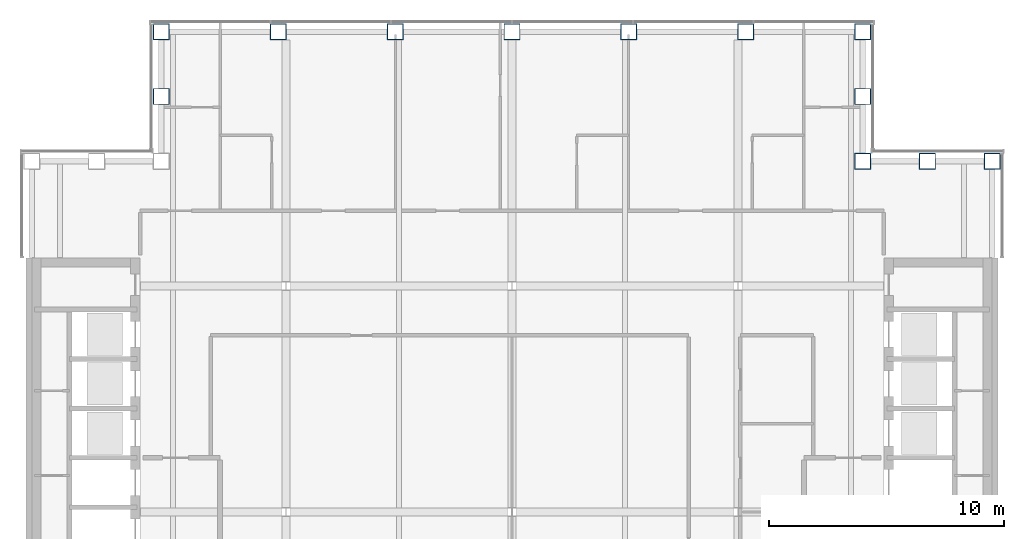
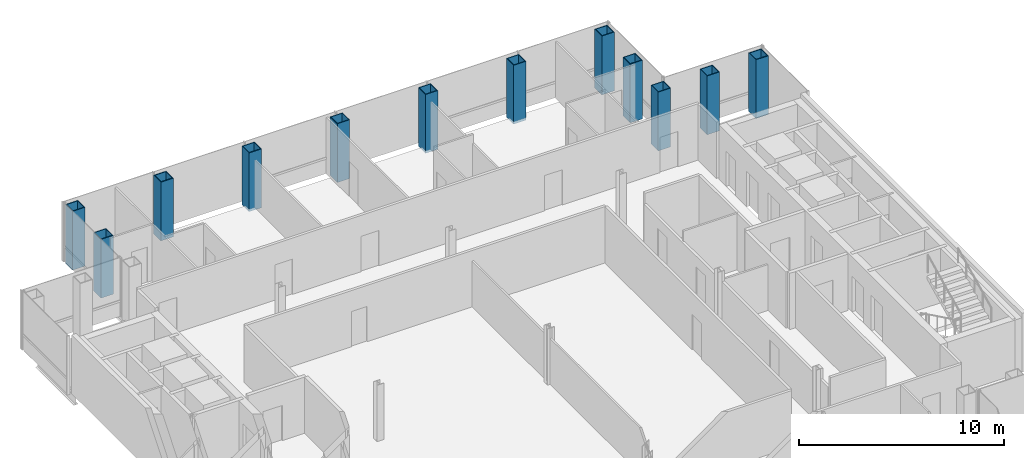
# One storey, part 2 of 15: 12 columns.
"""IFC4 building model written with IfcOpenShell, lengths in metres."""

from ifc_helpers import new_model, si_unit, direction, frame, origin, origin_2d, place, context, subcontext, project, spatial, hollow_rectangle, extrude, material, material_profile, profile_set, type_object, element, save


model = new_model("IFC4")

# Units and contexts
model_context = context("Model", 3, precision=1e-05, world=origin(), true_north=direction((0.0, 1.0)))
body_context = subcontext(model_context, "Body", "Model", "MODEL_VIEW")
ifc_project = project(units=[si_unit("LENGTHUNIT", "METRE"), si_unit("AREAUNIT", "SQUARE_METRE"), si_unit("VOLUMEUNIT", "CUBIC_METRE"), si_unit("PLANEANGLEUNIT", "RADIAN"), si_unit("MASSUNIT", "GRAM", prefix="KILO")], contexts=[model_context])

# Site, building, storey
site_placement = place(None, origin())
site = spatial("IfcSite", under=ifc_project, at=site_placement, CompositionType="ELEMENT")
building_placement = place(site_placement, origin())
building = spatial("IfcBuilding", under=site, at=building_placement, Name="Cobrizo Arcos Hotel Tower", CompositionType="ELEMENT")
storey_placement = place(building_placement, frame((0.0, 0.0, 194.5)))
storey = spatial("IfcBuildingStorey", under=building, at=storey_placement, Name="L50", CompositionType="ELEMENT", Elevation=194.5)

# Columns
ifc_material = material(Name="Steel ASTM A572 Grade 50", Category="steel")
ifc_material_profile = material_profile(ifc_material, hollow_rectangle(XDim=0.699951171875, YDim=0.699951171875, WallThickness=0.0400390625, at=origin_2d()), Name="BOX 700X700X40")
ifc_profile_set = profile_set([ifc_material_profile], Name="Steel ASTM A572 Grade 50")
column_type = type_object("IfcColumnType", Name="BOX 700X700X40 column", PredefinedType="COLUMN", material=ifc_profile_set)
for number, where, z_axis, x_axis, name in (
    (1, (-14.89990234375, 20.39990234375, -0.14990234375), (0.0, 0.0, 1.0), (1.0, 0.0, 0.0), "Perimeter column C10, L50, no. 00"),
    (2, (-9.93310546875, 20.39990234375, -0.14990234375), (0.0, 0.0, 1.0), (1.0, 0.0, 0.0), "Perimeter column C10, L50, no. 02"),
    (3, (-4.967041015625, 20.39990234375, -0.14990234375), (0.0, 0.0, 1.0), (1.0, 0.0, 0.0), "Perimeter column C10, L50, no. 04"),
    (4, (0.0, 20.39990234375, -0.14990234375), (0.0, 0.0, 1.0), (1.0, 0.0, 0.0), "Perimeter column C10, L50, no. 06"),
    (5, (4.967041015625, 20.39990234375, -0.14990234375), (0.0, 0.0, 1.0), (1.0, 0.0, 0.0), "Perimeter column C10, L50, no. 08"),
    (6, (9.93310546875, 20.39990234375, -0.14990234375), (0.0, 0.0, 1.0), (1.0, 0.0, 0.0), "Perimeter column C10, L50, no. 10"),
    (7, (14.89990234375, 20.39990234375, -0.14990234375), (0.0, 0.0, 1.0), (1.0, 0.0, 0.0), "Perimeter column C10, L50, no. 12"),
    (8, (20.39990234375, 14.89990234375, -0.14990234375), (0.0, 0.0, 1.0), (1.0, 0.0, 0.0), "Perimeter column C10, L50, no. 16"),
    (9, (-14.89990234375, 17.64990234375, -0.14990234375), (0.0, 0.0, 1.0), (1.0, 0.0, 0.0), "Perimeter column C10, L50, no. 22"),
    (10, (14.89990234375, 14.89990234375, -0.14990234375), (0.0, 0.0, 1.0), (1.0, 0.0, 0.0), "Perimeter column C10, L50, no. 27"),
    (11, (14.89990234375, 17.64990234375, -0.14990234375), (0.0, 0.0, 1.0), (1.0, 0.0, 0.0), "Perimeter column C10, L50, no. 28"),
    (12, (17.64990234375, 14.89990234375, -0.14990234375), (0.0, 0.0, 1.0), (1.0, 0.0, 0.0), "Perimeter column C10, L50, no. 29"),
):
    element("IfcColumn", number, at=place(storey_placement, frame(where, z_axis=z_axis, x_axis=x_axis)), inside=storey, type_object=column_type, Name=name, PredefinedType="COLUMN", context=body_context, shape_type="SweptSolid", body=[
        extrude(hollow_rectangle(XDim=0.699951171875, YDim=0.699951171875, WallThickness=0.0400390625, at=origin_2d()), origin(), (0.0, 0.0, 1.0), 3.5),
    ])

save(model, "model.ifc")
